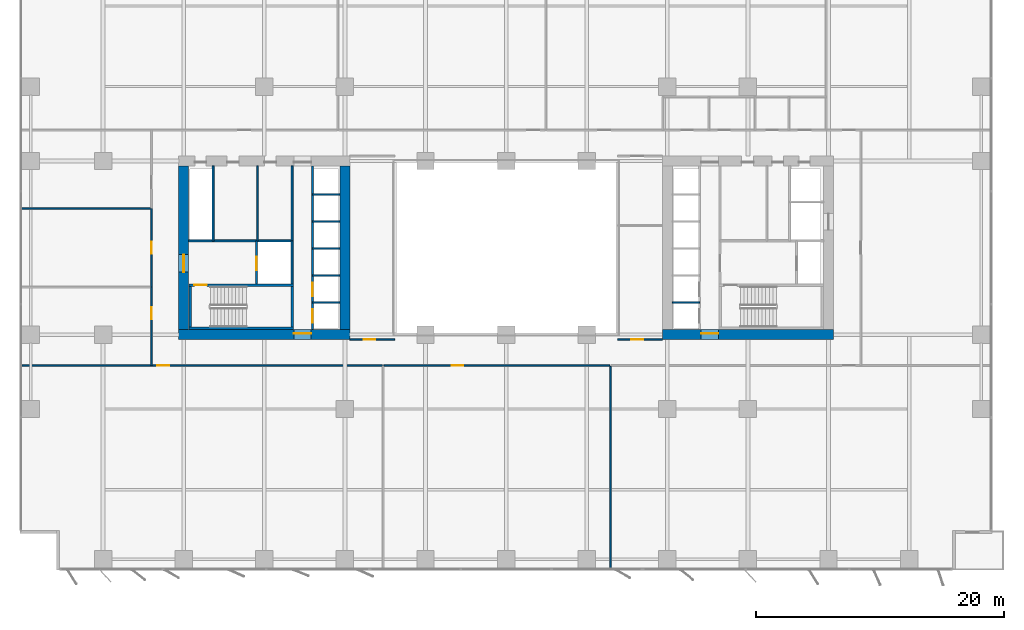
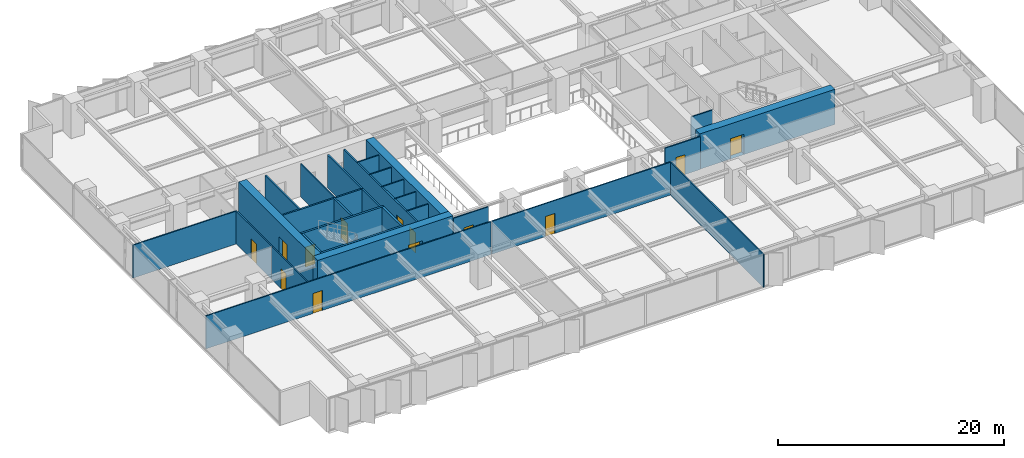
# One storey, part 13 of 20: 29 walls, 13 doors, 13 openings.
"""IFC4 building model written with IfcOpenShell, lengths in metres."""

import ifcopenshell
import ifcopenshell.guid

model = None  # the IFC model being written
_history = None  # IfcOwnerHistory: only IFC2X3 demands one
_inside = {}  # id of a spatial element -> (the spatial element, [elements in it])
_under = {}  # id of a project, library or spatial element -> (it, [spatial elements below it])
_declared = {}  # id of a project -> (the project, [libraries it declares])
_typed = {}  # id of a type object -> (the type object, [elements of that type])
_made_of = {}  # id of a material, layer set ... -> (it, [elements and type objects made of it])


def new_model(schema):
    """Start an empty IFC model of exactly this schema.

    Asked for "IFC4X3", IfcOpenShell would pick the latest addendum, in which some entities
    have other attributes; the version numbers below select the first issue.
    IFC2X3 requires an IfcOwnerHistory on every rooted entity: one is made here for all.
    """
    global model, _history
    if schema == "IFC4X3":
        model = ifcopenshell.file(schema_version=(4, 3, 0, 0))
    else:
        model = ifcopenshell.file(schema=schema)
    _inside.clear()
    _under.clear()
    _declared.clear()
    _typed.clear()
    _made_of.clear()
    _history = None
    if model.schema == "IFC2X3":
        org = make("IfcOrganization", Name="unknown")
        user = make(
            "IfcPersonAndOrganization",
            ThePerson=make("IfcPerson", FamilyName="unknown"),
            TheOrganization=org,
        )
        app = make(
            "IfcApplication",
            ApplicationDeveloper=org,
            Version="unknown",
            ApplicationFullName="unknown",
            ApplicationIdentifier="unknown",
        )
        _history = make(
            "IfcOwnerHistory",
            OwningUser=user,
            OwningApplication=app,
            ChangeAction="ADDED",
            CreationDate=0,
        )
    return model


def make(cls, **values):
    """One entity of the class cls with the attributes given. An attribute that is None is left unset."""
    return model.create_entity(
        cls, **{name: value for name, value in values.items() if value is not None}
    )


def rooted(cls, **values):
    """An entity with a GlobalId (a new one), such as an element, a storey or a relation."""
    return make(cls, GlobalId=ifcopenshell.guid.new(), OwnerHistory=_history, **values)


def si_unit(unit_type, name, prefix=None):
    """IfcSIUnit, for example si_unit("LENGTHUNIT", "METRE", prefix="MILLI")."""
    return make("IfcSIUnit", UnitType=unit_type, Prefix=prefix, Name=name)


def assignment(units):
    """IfcUnitAssignment: the units of a project."""
    return None if units is None else make("IfcUnitAssignment", Units=units)


def point(xyz):
    """IfcCartesianPoint."""
    return None if xyz is None else make("IfcCartesianPoint", Coordinates=xyz)


def direction(xyz):
    """IfcDirection."""
    return None if xyz is None else make("IfcDirection", DirectionRatios=xyz)


def frame(location, z_axis=None, x_axis=None):
    """IfcAxis2Placement3D, a coordinate frame: its origin and axes. An axis left out is left unset."""
    return make(
        "IfcAxis2Placement3D",
        Location=point(location),
        Axis=direction(z_axis),
        RefDirection=direction(x_axis),
    )


def frame_2d(location, x_axis=None):
    """IfcAxis2Placement2D, a coordinate frame in the plane: its origin and x axis."""
    return make(
        "IfcAxis2Placement2D", Location=point(location), RefDirection=direction(x_axis)
    )


def origin():
    """The frame at (0, 0, 0) with its axes left unset."""
    return frame((0.0, 0.0, 0.0))


def place(relative_to, where):
    """IfcLocalPlacement: puts the frame where relative to a parent placement (None: the world)."""
    return make(
        "IfcLocalPlacement", PlacementRelTo=relative_to, RelativePlacement=where
    )


def context(
    kind, dimensions, precision=None, world=None, true_north=None, identifier=None
):
    """IfcGeometricRepresentationContext, for example the 3D "Model" context."""
    return make(
        "IfcGeometricRepresentationContext",
        ContextIdentifier=identifier,
        ContextType=kind,
        CoordinateSpaceDimension=dimensions,
        Precision=precision,
        WorldCoordinateSystem=world,
        TrueNorth=true_north,
    )


def subcontext(parent, identifier, kind, view, scale=None):
    """IfcGeometricRepresentationSubContext, for example "Body" below "Model"."""
    return make(
        "IfcGeometricRepresentationSubContext",
        ContextIdentifier=identifier,
        ContextType=kind,
        ParentContext=parent,
        TargetScale=scale,
        TargetView=view,
    )


def project(units=None, contexts=None):
    """IfcProject with its units and contexts."""
    return rooted(
        "IfcProject",
        Name="project",
        RepresentationContexts=contexts,
        UnitsInContext=assignment(units),
    )


def spatial(cls, under=None, at=None, **own):
    """A site, building, storey or space (cls), placed at a placement, below another one or the project."""
    s = rooted(cls, ObjectPlacement=at, **own)
    if under is not None:
        _under.setdefault(under.id(), (under, []))[1].append(s)
    return s


def profile(cls, at=None, kind="AREA", **sizes):
    """A parametric profile (cls). Its sizes go by their IFC names, for example OverallWidth=200.0."""
    return make(cls, ProfileType=kind, Position=at, **sizes)


def rectangle(**sizes):
    """IfcRectangleProfileDef."""
    return profile("IfcRectangleProfileDef", **sizes)


def extrude(swept, where, along, depth):
    """IfcExtrudedAreaSolid: the profile swept, set in the frame where, extruded along a direction by depth."""
    return make(
        "IfcExtrudedAreaSolid",
        SweptArea=swept,
        Position=where,
        ExtrudedDirection=direction(along),
        Depth=depth,
    )


def shape(context_of_items, identifier, shape_type, items):
    """IfcShapeRepresentation: the items that make up one representation, for example the "Body"."""
    return make(
        "IfcShapeRepresentation",
        ContextOfItems=context_of_items,
        RepresentationIdentifier=identifier,
        RepresentationType=shape_type,
        Items=items,
    )


def material(Name=None, Category=None):
    """IfcMaterial."""
    return make("IfcMaterial", Name=Name, Category=Category)


def layer(
    of_material, thickness, ventilated=None, Name=None, Category=None, Priority=None
):
    """IfcMaterialLayer: one layer of a wall or slab, of a material (None: an air gap)."""
    return make(
        "IfcMaterialLayer",
        Material=of_material,
        LayerThickness=thickness,
        IsVentilated=ventilated,
        Name=Name,
        Category=Category,
        Priority=Priority,
    )


def layer_set(layers, Name=None):
    """IfcMaterialLayerSet."""
    return make("IfcMaterialLayerSet", MaterialLayers=layers, LayerSetName=Name)


def made_of(thing, what):
    """Note that an element or type object is made of a material, layer set ...; save() writes the relation."""
    if what is not None:
        _made_of.setdefault(what.id(), (what, []))[1].append(thing)
    return thing


def type_object(cls, material=None, **own):
    """A type object (cls), such as IfcWallType, which elements share."""
    return made_of(rooted(cls, **own), material)


def element(
    cls,
    number,
    at=None,
    inside=None,
    cuts=None,
    type_object=None,
    material=None,
    context=None,
    identifier="Body",
    shape_type=None,
    held_by="IfcProductDefinitionShape",
    body=None,
    shapes=None,
    **own,
):
    """One element of the class cls, such as IfcWall. Its Tag is "e" and its number.

    at: its placement. inside: the storey or other place that contains it. cuts: it is an
    opening in that element (IfcRelVoidsElement). A single representation is given by context,
    identifier, shape_type and body (its items); several are given by shapes. held_by: the class
    of the entity that holds the representations. save() writes the other relations.
    """
    e = rooted(cls, Tag="e%d" % number, ObjectPlacement=at, **own)
    if body is not None:
        shapes = [shape(context, identifier, shape_type, body)]
    if shapes is not None:
        e.Representation = make(held_by, Representations=shapes)
    if inside is not None:
        _inside.setdefault(inside.id(), (inside, []))[1].append(e)
    if cuts is not None:
        rooted(
            "IfcRelVoidsElement", RelatingBuildingElement=cuts, RelatedOpeningElement=e
        )
    if type_object is not None:
        _typed.setdefault(type_object.id(), (type_object, []))[1].append(e)
    return made_of(e, material)


def fill(opening, filler):
    """IfcRelFillsElement: the door or window that sits in an opening."""
    return rooted(
        "IfcRelFillsElement",
        RelatingOpeningElement=opening,
        RelatedBuildingElement=filler,
    )


def aggregate(whole, parts):
    """IfcRelAggregates: a whole, such as a stair, and the parts it consists of."""
    return rooted("IfcRelAggregates", RelatingObject=whole, RelatedObjects=parts)


def save(model, path):
    """Write the relations noted so far, then the file.

    IfcRelAggregates (storeys below a building ...), IfcRelContainedInSpatialStructure (elements
    in a storey), IfcRelDefinesByType, IfcRelAssociatesMaterial and IfcRelDeclares: one each for
    every whole, place, type object, material and project.
    """
    for whole, parts in _under.values():
        aggregate(whole, parts)
    for where, things in _inside.values():
        rooted(
            "IfcRelContainedInSpatialStructure",
            RelatedElements=things,
            RelatingStructure=where,
        )
    for kind, things in _typed.values():
        rooted("IfcRelDefinesByType", RelatedObjects=things, RelatingType=kind)
    for what, things in _made_of.values():
        rooted("IfcRelAssociatesMaterial", RelatedObjects=things, RelatingMaterial=what)
    for by, libraries in _declared.values():
        rooted("IfcRelDeclares", RelatingContext=by, RelatedDefinitions=libraries)
    model.write(path)


model = new_model("IFC4")

# Units and contexts
model_context = context("Model", 3, precision=1e-05, world=origin(), true_north=direction((0.0, 1.0)))
body_context = subcontext(model_context, "Body", "Model", "MODEL_VIEW")
ifc_project = project(units=[si_unit("LENGTHUNIT", "METRE"), si_unit("AREAUNIT", "SQUARE_METRE"), si_unit("VOLUMEUNIT", "CUBIC_METRE"), si_unit("PLANEANGLEUNIT", "RADIAN"), si_unit("MASSUNIT", "GRAM", prefix="KILO")], contexts=[model_context])

# Site, building, storey
site_placement = place(None, origin())
site = spatial("IfcSite", under=ifc_project, at=site_placement, CompositionType="ELEMENT")
building_placement = place(site_placement, origin())
building = spatial("IfcBuilding", under=site, at=building_placement, Name="Putna Gate Headquarters", CompositionType="ELEMENT")
storey_placement = place(building_placement, frame((0.0, 0.0, 50.60009765625)))
storey = spatial("IfcBuildingStorey", under=building, at=storey_placement, Name="L11", CompositionType="ELEMENT", Elevation=50.60009765625)

# Wall, opening, door
ifc_material_1 = material(Name="Concrete C60/75", Category="concrete")
ifc_layer_1 = layer(ifc_material_1, 0.800048828125)
ifc_layer_set_1 = layer_set([ifc_layer_1], Name="Concrete C60/75")
wall_type_1 = type_object("IfcWallType", Name="WALL-CORE-800", PredefinedType="SHEAR", material=ifc_layer_set_1)
wall_1_placement = place(storey_placement, frame((12.60009765625, 19.0, 0.0), z_axis=(0.0, 0.0, 1.0), x_axis=(1.0, 0.0, 0.0)))
wall_1 = element("IfcWall", 1, at=wall_1_placement, inside=storey, type_object=wall_type_1, Name="L11 WC Split Core Shear Wall S", PredefinedType="SHEAR", context=body_context, shape_type="SweptSolid", body=[
    extrude(rectangle(XDim=13.7998046875, YDim=0.800048828125, at=frame_2d((6.89990234375, 0.0))), origin(), (0.0, 0.0, 1.0), 3.7998046875),
])
opening_1_placement = place(wall_1_placement, frame((9.280029296875, 0.0, 0.0)))
opening_1 = element("IfcOpeningElement", 2, at=opening_1_placement, cuts=wall_1, Name="Opening FDD-140", PredefinedType="OPENING", context=body_context, shape_type="SweptSolid", body=[
    extrude(rectangle(XDim=1.39990234375, YDim=2.199951171875, at=frame_2d((0.699951171875, 1.10009765625))), frame((0.0, 0.409912109375, 0.0), z_axis=(0.0, -1.0, 0.0), x_axis=(1.0, 0.0, 0.0)), (0.0, 0.0, 1.0), 0.820068359375),
])
ifc_material_2 = material(Name="Double steel fire door", Category="steel")
door_type_1 = type_object("IfcDoorType", Name="DOOR-FIRE-DBL-1400", OperationType="DOUBLE_DOOR_SINGLE_SWING", PredefinedType="DOOR", material=ifc_material_2)
door_1_placement = place(opening_1_placement, origin())
door_1 = element("IfcDoor", 3, at=door_1_placement, inside=storey, type_object=door_type_1, Name="L11 West Lift Lobby South Door", OperationType="DOUBLE_DOOR_SINGLE_SWING", OverallHeight=2.199951171875, OverallWidth=1.39990234375, PredefinedType="DOOR", context=body_context, shape_type="SweptSolid", body=[
    extrude(rectangle(XDim=1.39990234375, YDim=2.199951171875, at=frame_2d((0.699951171875, 1.10009765625))), frame((0.0, 0.125, 0.0), z_axis=(0.0, -1.0, 0.0), x_axis=(1.0, 0.0, 0.0)), (0.0, 0.0, 1.0), 0.050048828125),
])
fill(opening_1, door_1)

wall_2_placement = place(storey_placement, frame((13.0, 19.39990234375, 0.0), z_axis=(0.0, 0.0, 1.0), x_axis=(0.0, 1.0, 0.0)))
wall_2 = element("IfcWall", 4, at=wall_2_placement, inside=storey, type_object=wall_type_1, Name="L11 WC Split Core Shear Wall W", PredefinedType="SHEAR", context=body_context, shape_type="SweptSolid", body=[
    extrude(rectangle(XDim=13.2001953125, YDim=0.800048828125, at=frame_2d((6.60009765625, 0.0))), origin(), (0.0, 0.0, 1.0), 3.7998046875),
])
opening_2_placement = place(wall_2_placement, frame((4.64990234375, 0.0, 0.0)))
opening_2 = element("IfcOpeningElement", 5, at=opening_2_placement, cuts=wall_2, Name="Opening FDD-140", PredefinedType="OPENING", context=body_context, shape_type="SweptSolid", body=[
    extrude(rectangle(XDim=1.39990234375, YDim=2.199951171875, at=frame_2d((0.699951171875, 1.10009765625))), frame((0.0, 0.409912109375, 0.0), z_axis=(0.0, -1.0, 0.0), x_axis=(1.0, 0.0, 0.0)), (0.0, 0.0, 1.0), 0.820068359375),
])
door_2_placement = place(opening_2_placement, origin())
door_2 = element("IfcDoor", 6, at=door_2_placement, inside=storey, type_object=door_type_1, Name="L11 West Firefighting Lobby Door", OperationType="DOUBLE_DOOR_SINGLE_SWING", OverallHeight=2.199951171875, OverallWidth=1.39990234375, PredefinedType="DOOR", context=body_context, shape_type="SweptSolid", body=[
    extrude(rectangle(XDim=1.39990234375, YDim=2.199951171875, at=frame_2d((0.699951171875, 1.10009765625))), frame((0.0, 0.02490234375, 0.0), z_axis=(0.0, -1.0, 0.0), x_axis=(1.0, 0.0, 0.0)), (0.0, 0.0, 1.0), 0.050048828125),
])
fill(opening_2, door_2)

# Wall
wall_3_placement = place(storey_placement, frame((26.0, 19.39990234375, 0.0), z_axis=(0.0, 0.0, 1.0), x_axis=(0.0, 1.0, 0.0)))
element("IfcWall", 7, at=wall_3_placement, inside=storey, type_object=wall_type_1, Name="L11 WC Split Core Shear Wall E", PredefinedType="SHEAR", context=body_context, shape_type="SweptSolid", body=[
    extrude(rectangle(XDim=13.2001953125, YDim=0.800048828125, at=frame_2d((6.60009765625, 0.0))), origin(), (0.0, 0.0, 1.0), 3.7998046875),
])

# Wall, opening, door
wall_4_placement = place(storey_placement, frame((51.60009765625, 19.0, 0.0), z_axis=(0.0, 0.0, 1.0), x_axis=(1.0, 0.0, 0.0)))
wall_4 = element("IfcWall", 8, at=wall_4_placement, inside=storey, type_object=wall_type_1, Name="L11 EC Split Core Shear Wall S", PredefinedType="SHEAR", context=body_context, shape_type="SweptSolid", body=[
    extrude(rectangle(XDim=13.7998046875, YDim=0.800048828125, at=frame_2d((6.89990234375, 0.0))), origin(), (0.0, 0.0, 1.0), 3.7998046875),
])
opening_3_placement = place(wall_4_placement, frame((3.1201171875, 0.0, 0.0)))
opening_3 = element("IfcOpeningElement", 9, at=opening_3_placement, cuts=wall_4, Name="Opening FDD-140", PredefinedType="OPENING", context=body_context, shape_type="SweptSolid", body=[
    extrude(rectangle(XDim=1.39990234375, YDim=2.199951171875, at=frame_2d((0.699951171875, 1.10009765625))), frame((0.0, 0.409912109375, 0.0), z_axis=(0.0, -1.0, 0.0), x_axis=(1.0, 0.0, 0.0)), (0.0, 0.0, 1.0), 0.820068359375),
])
door_3_placement = place(opening_3_placement, origin())
door_3 = element("IfcDoor", 10, at=door_3_placement, inside=storey, type_object=door_type_1, Name="L11 East Lift Lobby South Door", OperationType="DOUBLE_DOOR_SINGLE_SWING", OverallHeight=2.199951171875, OverallWidth=1.39990234375, PredefinedType="DOOR", context=body_context, shape_type="SweptSolid", body=[
    extrude(rectangle(XDim=1.39990234375, YDim=2.199951171875, at=frame_2d((0.699951171875, 1.10009765625))), frame((0.0, 0.125, 0.0), z_axis=(0.0, -1.0, 0.0), x_axis=(1.0, 0.0, 0.0)), (0.0, 0.0, 1.0), 0.050048828125),
])
fill(opening_3, door_3)

ifc_material_3 = material(Name="Acoustic gypsum board on metal stud")
ifc_layer_2 = layer(ifc_material_3, 0.1201171875)
ifc_layer_set_2 = layer_set([ifc_layer_2], Name="Acoustic gypsum board on metal stud")
wall_type_2 = type_object("IfcWallType", Name="WALL-PART-120", PredefinedType="PARTITIONING", material=ifc_layer_set_2)
wall_5_placement = place(storey_placement, frame((26.39990234375, 18.60009765625, 0.0), z_axis=(0.0, 0.0, 1.0), x_axis=(1.0, 0.0, 0.0)))
wall_5 = element("IfcWall", 11, at=wall_5_placement, inside=storey, type_object=wall_type_2, Name="L11 Interior Wall PART-L11-ATR-W-S", PredefinedType="PARTITIONING", context=body_context, shape_type="SweptSolid", body=[
    extrude(rectangle(XDim=3.60009765625, YDim=0.1201171875, at=frame_2d((1.800048828125, 0.0))), origin(), (0.0, 0.0, 1.0), 3.5498046875),
])
opening_4_placement = place(wall_5_placement, frame((1.10009765625, 0.0, 0.0)))
opening_4 = element("IfcOpeningElement", 12, at=opening_4_placement, cuts=wall_5, Name="Opening ID-95", PredefinedType="OPENING", context=body_context, shape_type="SweptSolid", body=[
    extrude(rectangle(XDim=0.949951171875, YDim=2.14990234375, at=frame_2d((0.47509765625, 1.074951171875))), frame((0.0, 0.070068359375, 0.0), z_axis=(0.0, -1.0, 0.0), x_axis=(1.0, 0.0, 0.0)), (0.0, 0.0, 1.0), 0.14013671875),
])
ifc_material_4 = material(Name="Veneered acoustic timber door", Category="wood")
door_type_2 = type_object("IfcDoorType", Name="DOOR-OFF-950", OperationType="NOTDEFINED", PredefinedType="DOOR", material=ifc_material_4)
door_4_placement = place(opening_4_placement, origin())
door_4 = element("IfcDoor", 13, at=door_4_placement, inside=storey, type_object=door_type_2, Name="L11 West Atrium Gallery Lounge Door", OperationType="SINGLE_SWING_LEFT", OverallHeight=2.14990234375, OverallWidth=0.949951171875, PredefinedType="DOOR", context=body_context, shape_type="SweptSolid", body=[
    extrude(rectangle(XDim=0.949951171875, YDim=2.14990234375, at=frame_2d((0.47509765625, 1.074951171875))), frame((0.0, 0.02490234375, 0.0), z_axis=(0.0, -1.0, 0.0), x_axis=(1.0, 0.0, 0.0)), (0.0, 0.0, 1.0), 0.050048828125),
])
fill(opening_4, door_4)

wall_6_placement = place(storey_placement, frame((48.0, 18.60009765625, 0.0), z_axis=(0.0, 0.0, 1.0), x_axis=(1.0, 0.0, 0.0)))
wall_6 = element("IfcWall", 14, at=wall_6_placement, inside=storey, type_object=wall_type_2, Name="L11 Interior Wall PART-L11-ATR-E-S", PredefinedType="PARTITIONING", context=body_context, shape_type="SweptSolid", body=[
    extrude(rectangle(XDim=3.60009765625, YDim=0.1201171875, at=frame_2d((1.800048828125, 0.0))), origin(), (0.0, 0.0, 1.0), 3.5498046875),
])
opening_5_placement = place(wall_6_placement, frame((1.10009765625, 0.0, 0.0)))
opening_5 = element("IfcOpeningElement", 15, at=opening_5_placement, cuts=wall_6, Name="Opening ID-95", PredefinedType="OPENING", context=body_context, shape_type="SweptSolid", body=[
    extrude(rectangle(XDim=0.949951171875, YDim=2.14990234375, at=frame_2d((0.47509765625, 1.074951171875))), frame((0.0, 0.070068359375, 0.0), z_axis=(0.0, -1.0, 0.0), x_axis=(1.0, 0.0, 0.0)), (0.0, 0.0, 1.0), 0.14013671875),
])
door_5_placement = place(opening_5_placement, origin())
door_5 = element("IfcDoor", 16, at=door_5_placement, inside=storey, type_object=door_type_2, Name="L11 East Atrium South Gallery Door", OperationType="SINGLE_SWING_RIGHT", OverallHeight=2.14990234375, OverallWidth=0.949951171875, PredefinedType="DOOR", context=body_context, shape_type="SweptSolid", body=[
    extrude(rectangle(XDim=0.949951171875, YDim=2.14990234375, at=frame_2d((0.47509765625, 1.074951171875))), frame((0.0, 0.02490234375, 0.0), z_axis=(0.0, -1.0, 0.0), x_axis=(1.0, 0.0, 0.0)), (0.0, 0.0, 1.0), 0.050048828125),
])
fill(opening_5, door_5)

# Walls
wall_7_placement = place(storey_placement, frame((47.40478515625, 0.02001953125, 0.0), z_axis=(0.0, 0.0, 1.0), x_axis=(0.0, 1.0, 0.0)))
element("IfcWall", 17, at=wall_7_placement, inside=storey, type_object=wall_type_2, Name="L11 Interior Wall PART-L11-SB-DIV-02", PredefinedType="PARTITIONING", context=body_context, shape_type="SweptSolid", body=[
    extrude(rectangle(XDim=16.419921875, YDim=0.1201171875, at=frame_2d((8.2099609375, 0.0))), origin(), (0.0, 0.0, 1.0), 3.5498046875),
])
wall_8_placement = place(storey_placement, frame((-0.179931640625, 29.166748046875, 0.0), z_axis=(0.0, 0.0, 1.0), x_axis=(1.0, 0.0, 0.0)))
element("IfcWall", 18, at=wall_8_placement, inside=storey, type_object=wall_type_2, Name="L11 Interior Wall PART-L11-WW-DIV-2", PredefinedType="PARTITIONING", context=body_context, shape_type="SweptSolid", body=[
    extrude(rectangle(XDim=10.579833984375, YDim=0.1201171875, at=frame_2d((5.2900390625, 0.0))), origin(), (0.0, 0.0, 1.0), 3.5498046875),
])
ifc_material_5 = material(Name="Fire-rated shaftwall gypsum board on metal stud")
ifc_layer_3 = layer(ifc_material_5, 0.1201171875)
ifc_layer_set_3 = layer_set([ifc_layer_3], Name="Fire-rated shaftwall gypsum board on metal stud")
wall_type_3 = type_object("IfcWallType", Name="WALL-PART-120-EI120", PredefinedType="PARTITIONING", material=ifc_layer_set_3)
for number, where, z_axis, x_axis, name in (
    (19, (23.39990234375, 21.610107421875, 0.0), (0.0, 0.0, 1.0), (1.0, 0.0, 0.0), "L11 Interior Wall CWINT-L11-WC-LF01-DIV"),
    (20, (23.39990234375, 23.780029296875, 0.0), (0.0, 0.0, 1.0), (1.0, 0.0, 0.0), "L11 Interior Wall CWINT-L11-WC-LF02-DIV"),
    (21, (23.39990234375, 25.949951171875, 0.0), (0.0, 0.0, 1.0), (1.0, 0.0, 0.0), "L11 Interior Wall CWINT-L11-WC-LF05-DIV"),
    (22, (23.39990234375, 28.1201171875, 0.0), (0.0, 0.0, 1.0), (1.0, 0.0, 0.0), "L11 Interior Wall CWINT-L11-WC-LF06-DIV"),
    (23, (23.39990234375, 30.31005859375, 0.0), (0.0, 0.0, 1.0), (1.0, 0.0, 0.0), "L11 Interior Wall CWINT-L11-WC-LF09-DIV"),
    (24, (52.39990234375, 21.610107421875, 0.0), (0.0, 0.0, 1.0), (1.0, 0.0, 0.0), "L11 Interior Wall CWINT-L11-EC-LF03-DIV"),
):
    element("IfcWall", number, at=place(storey_placement, frame(where, z_axis=z_axis, x_axis=x_axis)), inside=storey, type_object=wall_type_3, Name=name, PredefinedType="PARTITIONING", context=body_context, shape_type="SweptSolid", body=[
        extrude(rectangle(XDim=2.2001953125, YDim=0.1201171875, at=frame_2d((1.10009765625, 0.0))), origin(), (0.0, 0.0, 1.0), 3.5498046875),
    ])
ifc_material_6 = material(Name="Fire-rated gypsum board on metal stud")
ifc_layer_4 = layer(ifc_material_6, 0.1201171875)
ifc_layer_set_4 = layer_set([ifc_layer_4], Name="Fire-rated gypsum board on metal stud")
wall_type_4 = type_object("IfcWallType", Name="WALL-PART-120-RATED", PredefinedType="PARTITIONING", material=ifc_layer_set_4)
wall_9_placement = place(storey_placement, frame((18.969970703125, 26.56005859375, 0.0), z_axis=(0.0, 0.0, 1.0), x_axis=(0.0, 1.0, 0.0)))
element("IfcWall", 25, at=wall_9_placement, inside=storey, type_object=wall_type_4, Name="L11 Interior Wall CWINT-L11-WC-K0-DIV", PredefinedType="PARTITIONING", context=body_context, shape_type="SweptSolid", body=[
    extrude(rectangle(XDim=6.0400390625, YDim=0.1201171875, at=frame_2d((3.02001953125, 0.0))), origin(), (0.0, 0.0, 1.0), 3.5498046875),
])

# Wall, opening, door
wall_10_placement = place(storey_placement, frame((-0.02001953125, 16.5, 0.0), z_axis=(0.0, 0.0, 1.0), x_axis=(1.0, 0.0, 0.0)))
wall_10 = element("IfcWall", 26, at=wall_10_placement, inside=storey, type_object=wall_type_4, Name="L11 Interior Wall PART-L11-SB-CW-01", PredefinedType="PARTITIONING", context=body_context, shape_type="SweptSolid", body=[
    extrude(rectangle(XDim=29.041015625, YDim=0.1201171875, at=frame_2d((14.5205078125, 0.0))), origin(), (0.0, 0.0, 1.0), 3.5498046875),
])
opening_6_placement = place(wall_10_placement, frame((10.89990234375, 0.0, 0.0)))
opening_6 = element("IfcOpeningElement", 27, at=opening_6_placement, cuts=wall_10, Name="Opening FD-95", PredefinedType="OPENING", context=body_context, shape_type="SweptSolid", body=[
    extrude(rectangle(XDim=0.949951171875, YDim=2.14990234375, at=frame_2d((0.47509765625, 1.074951171875))), frame((0.0, 0.070068359375, 0.0), z_axis=(0.0, -1.0, 0.0), x_axis=(1.0, 0.0, 0.0)), (0.0, 0.0, 1.0), 0.14013671875),
])
ifc_material_7 = material(Name="Acoustic timber fire door", Category="wood")
door_type_3 = type_object("IfcDoorType", Name="DOOR-FIRE-950", OperationType="NOTDEFINED", PredefinedType="DOOR", material=ifc_material_7)
door_6_placement = place(opening_6_placement, origin())
door_6 = element("IfcDoor", 28, at=door_6_placement, inside=storey, type_object=door_type_3, Name="L11 Conference Meeting Room 1 Door", OperationType="SINGLE_SWING_RIGHT", OverallHeight=2.14990234375, OverallWidth=0.949951171875, PredefinedType="DOOR", context=body_context, shape_type="SweptSolid", body=[
    extrude(rectangle(XDim=0.949951171875, YDim=2.14990234375, at=frame_2d((0.47509765625, 1.074951171875))), frame((0.0, 0.02490234375, 0.0), z_axis=(0.0, -1.0, 0.0), x_axis=(1.0, 0.0, 0.0)), (0.0, 0.0, 1.0), 0.050048828125),
])
fill(opening_6, door_6)

wall_11_placement = place(storey_placement, frame((29.14111328125, 16.5, 0.0), z_axis=(0.0, 0.0, 1.0), x_axis=(1.0, 0.0, 0.0)))
wall_11 = element("IfcWall", 29, at=wall_11_placement, inside=storey, type_object=wall_type_4, Name="L11 Interior Wall PART-L11-SB-CW-02", PredefinedType="PARTITIONING", context=body_context, shape_type="SweptSolid", body=[
    extrude(rectangle(XDim=18.203857421875, YDim=0.1201171875, at=frame_2d((9.10205078125, 0.0))), origin(), (0.0, 0.0, 1.0), 3.5498046875),
])
opening_7_placement = place(wall_11_placement, frame((5.461181640625, 0.0, 0.0)))
opening_7 = element("IfcOpeningElement", 30, at=opening_7_placement, cuts=wall_11, Name="Opening FD-95", PredefinedType="OPENING", context=body_context, shape_type="SweptSolid", body=[
    extrude(rectangle(XDim=0.949951171875, YDim=2.14990234375, at=frame_2d((0.47509765625, 1.074951171875))), frame((0.0, 0.070068359375, 0.0), z_axis=(0.0, -1.0, 0.0), x_axis=(1.0, 0.0, 0.0)), (0.0, 0.0, 1.0), 0.14013671875),
])
door_7_placement = place(opening_7_placement, origin())
door_7 = element("IfcDoor", 31, at=door_7_placement, inside=storey, type_object=door_type_3, Name="L11 Quiet Wellness Focus Studio 1 Door", OperationType="SINGLE_SWING_LEFT", OverallHeight=2.14990234375, OverallWidth=0.949951171875, PredefinedType="DOOR", context=body_context, shape_type="SweptSolid", body=[
    extrude(rectangle(XDim=0.949951171875, YDim=2.14990234375, at=frame_2d((0.47509765625, 1.074951171875))), frame((0.0, 0.02490234375, 0.0), z_axis=(0.0, -1.0, 0.0), x_axis=(1.0, 0.0, 0.0)), (0.0, 0.0, 1.0), 0.050048828125),
])
fill(opening_7, door_7)

wall_12_placement = place(storey_placement, frame((10.39990234375, 16.5, 0.0), z_axis=(0.0, 0.0, 1.0), x_axis=(0.0, 1.0, 0.0)))
wall_12 = element("IfcWall", 32, at=wall_12_placement, inside=storey, type_object=wall_type_4, Name="L11 Interior Wall PART-L11-WW-CW-1", PredefinedType="PARTITIONING", context=body_context, shape_type="SweptSolid", body=[
    extrude(rectangle(XDim=6.333251953125, YDim=0.1201171875, at=frame_2d((3.16650390625, 0.0))), origin(), (0.0, 0.0, 1.0), 3.5498046875),
])
opening_8_placement = place(wall_12_placement, frame((3.74169921875, 0.0, 0.0)))
opening_8 = element("IfcOpeningElement", 33, at=opening_8_placement, cuts=wall_12, Name="Opening FD-95", PredefinedType="OPENING", context=body_context, shape_type="SweptSolid", body=[
    extrude(rectangle(XDim=0.949951171875, YDim=2.14990234375, at=frame_2d((0.47509765625, 1.074951171875))), frame((0.0, 0.070068359375, 0.0), z_axis=(0.0, -1.0, 0.0), x_axis=(1.0, 0.0, 0.0)), (0.0, 0.0, 1.0), 0.14013671875),
])
door_8_placement = place(opening_8_placement, origin())
door_8 = element("IfcDoor", 34, at=door_8_placement, inside=storey, type_object=door_type_3, Name="L11 West Project Meeting Room 1 Door", OperationType="SINGLE_SWING_LEFT", OverallHeight=2.14990234375, OverallWidth=0.949951171875, PredefinedType="DOOR", context=body_context, shape_type="SweptSolid", body=[
    extrude(rectangle(XDim=0.949951171875, YDim=2.14990234375, at=frame_2d((0.47509765625, 1.074951171875))), frame((0.0, 0.02490234375, 0.0), z_axis=(0.0, -1.0, 0.0), x_axis=(1.0, 0.0, 0.0)), (0.0, 0.0, 1.0), 0.050048828125),
])
fill(opening_8, door_8)

wall_13_placement = place(storey_placement, frame((10.39990234375, 22.833251953125, 0.0), z_axis=(0.0, 0.0, 1.0), x_axis=(0.0, 1.0, 0.0)))
wall_13 = element("IfcWall", 35, at=wall_13_placement, inside=storey, type_object=wall_type_4, Name="L11 Interior Wall PART-L11-WW-CW-2", PredefinedType="PARTITIONING", context=body_context, shape_type="SweptSolid", body=[
    extrude(rectangle(XDim=6.33349609375, YDim=0.1201171875, at=frame_2d((3.166748046875, 0.0))), origin(), (0.0, 0.0, 1.0), 3.5498046875),
])
opening_9_placement = place(wall_13_placement, frame((2.691650390625, 0.0, 0.0)))
opening_9 = element("IfcOpeningElement", 36, at=opening_9_placement, cuts=wall_13, Name="Opening FD-95", PredefinedType="OPENING", context=body_context, shape_type="SweptSolid", body=[
    extrude(rectangle(XDim=0.949951171875, YDim=2.14990234375, at=frame_2d((0.47509765625, 1.074951171875))), frame((0.0, 0.070068359375, 0.0), z_axis=(0.0, -1.0, 0.0), x_axis=(1.0, 0.0, 0.0)), (0.0, 0.0, 1.0), 0.14013671875),
])
door_9_placement = place(opening_9_placement, origin())
door_9 = element("IfcDoor", 37, at=door_9_placement, inside=storey, type_object=door_type_3, Name="L11 West Project Meeting Room 2 Door", OperationType="SINGLE_SWING_RIGHT", OverallHeight=2.14990234375, OverallWidth=0.949951171875, PredefinedType="DOOR", context=body_context, shape_type="SweptSolid", body=[
    extrude(rectangle(XDim=0.949951171875, YDim=2.14990234375, at=frame_2d((0.47509765625, 1.074951171875))), frame((0.0, 0.02490234375, 0.0), z_axis=(0.0, -1.0, 0.0), x_axis=(1.0, 0.0, 0.0)), (0.0, 0.0, 1.0), 0.050048828125),
])
fill(opening_9, door_9)

# Wall
ifc_material_8 = material(Name="Concrete C40/50", Category="concrete")
ifc_layer_5 = layer(ifc_material_8, 0.159912109375)
ifc_layer_set_5 = layer_set([ifc_layer_5], Name="Concrete C40/50")
wall_type_5 = type_object("IfcWallType", Name="WALL-SHAFT-160", PredefinedType="STANDARD", material=ifc_layer_set_5)
wall_14_placement = place(storey_placement, frame((21.739990234375, 23.090087890625, 0.0), z_axis=(0.0, 0.0, 1.0), x_axis=(0.0, 1.0, 0.0)))
element("IfcWall", 38, at=wall_14_placement, inside=storey, type_object=wall_type_5, Name="L11 Interior Wall CWINT-L11-WC-FFL-E", PredefinedType="STANDARD", context=body_context, shape_type="SweptSolid", body=[
    extrude(rectangle(XDim=3.469970703125, YDim=0.159912109375, at=frame_2d((1.73486328125, 0.0))), origin(), (0.0, 0.0, 1.0), 3.5498046875),
])

# Wall, opening, door
wall_15_placement = place(storey_placement, frame((18.8798828125, 23.090087890625, 0.0), z_axis=(0.0, 0.0, 1.0), x_axis=(0.0, 1.0, 0.0)))
wall_15 = element("IfcWall", 39, at=wall_15_placement, inside=storey, type_object=wall_type_5, Name="L11 Interior Wall CWINT-L11-WC-LF13-W", PredefinedType="STANDARD", context=body_context, shape_type="SweptSolid", body=[
    extrude(rectangle(XDim=3.469970703125, YDim=0.159912109375, at=frame_2d((1.73486328125, 0.0))), origin(), (0.0, 0.0, 1.0), 3.5498046875),
])
opening_10_placement = place(wall_15_placement, frame((1.10009765625, 0.0, 0.0)))
opening_10 = element("IfcOpeningElement", 40, at=opening_10_placement, cuts=wall_15, Name="Opening LD-1", PredefinedType="OPENING", context=body_context, shape_type="SweptSolid", body=[
    extrude(rectangle(XDim=1.10009765625, YDim=2.199951171875, at=frame_2d((0.550048828125, 1.10009765625))), frame((0.0, 0.08984375, 0.0), z_axis=(0.0, -1.0, 0.0), x_axis=(1.0, 0.0, 0.0)), (0.0, 0.0, 1.0), 0.179931640625),
])
ifc_material_9 = material(Name="Brushed bronze stainless lift landing door")
door_type_4 = type_object("IfcDoorType", Name="DOOR-LIFT-1100", OperationType="DOUBLE_DOOR_SLIDING", PredefinedType="DOOR", material=ifc_material_9)
door_10_placement = place(opening_10_placement, origin())
door_10 = element("IfcDoor", 41, at=door_10_placement, inside=storey, type_object=door_type_4, Name="L11 Lift Landing Door LD-13", OperationType="DOUBLE_DOOR_SLIDING", OverallHeight=2.199951171875, OverallWidth=1.10009765625, PredefinedType="DOOR", context=body_context, shape_type="SweptSolid", body=[
    extrude(rectangle(XDim=1.10009765625, YDim=2.199951171875, at=frame_2d((0.550048828125, 1.10009765625))), frame((0.0, 0.02490234375, 0.0), z_axis=(0.0, -1.0, 0.0), x_axis=(1.0, 0.0, 0.0)), (0.0, 0.0, 1.0), 0.050048828125),
])
fill(opening_10, door_10)

# Walls
wall_16_placement = place(storey_placement, frame((13.39990234375, 26.56005859375, 0.0), z_axis=(0.0, 0.0, 1.0), x_axis=(1.0, 0.0, 0.0)))
element("IfcWall", 42, at=wall_16_placement, inside=storey, type_object=wall_type_5, Name="L11 Interior Wall CWINT-L11-WC-FFL-N", PredefinedType="STANDARD", context=body_context, shape_type="SweptSolid", body=[
    extrude(rectangle(XDim=8.340087890625, YDim=0.159912109375, at=frame_2d((4.169921875, 0.0))), origin(), (0.0, 0.0, 1.0), 3.5498046875),
])
for number, where, z_axis, x_axis, name in (
    (43, (15.3798828125, 26.56005859375, 0.0), (0.0, 0.0, 1.0), (0.0, 1.0, 0.0), "L11 Interior Wall CWINT-L11-WC-RISER-E"),
    (44, (21.739990234375, 26.56005859375, 0.0), (0.0, 0.0, 1.0), (0.0, 1.0, 0.0), "L11 Interior Wall CWINT-L11-WC-LOB-W"),
):
    element("IfcWall", number, at=place(storey_placement, frame(where, z_axis=z_axis, x_axis=x_axis)), inside=storey, type_object=wall_type_5, Name=name, PredefinedType="STANDARD", context=body_context, shape_type="SweptSolid", body=[
        extrude(rectangle(XDim=6.0400390625, YDim=0.159912109375, at=frame_2d((3.02001953125, 0.0))), origin(), (0.0, 0.0, 1.0), 3.5498046875),
    ])

# Wall, openings, doors
wall_17_placement = place(storey_placement, frame((23.39990234375, 19.39990234375, 0.0), z_axis=(0.0, 0.0, 1.0), x_axis=(0.0, 1.0, 0.0)))
wall_17 = element("IfcWall", 45, at=wall_17_placement, inside=storey, type_object=wall_type_5, Name="L11 Interior Wall CWINT-L11-WC-PL-WALL", PredefinedType="STANDARD", context=body_context, shape_type="SweptSolid", body=[
    extrude(rectangle(XDim=13.2001953125, YDim=0.159912109375, at=frame_2d((6.60009765625, 0.0))), origin(), (0.0, 0.0, 1.0), 3.5498046875),
])
opening_11_placement = place(wall_17_placement, frame((0.550048828125, 0.0, 0.0)))
opening_11 = element("IfcOpeningElement", 46, at=opening_11_placement, cuts=wall_17, Name="Opening LD-1", PredefinedType="OPENING", context=body_context, shape_type="SweptSolid", body=[
    extrude(rectangle(XDim=1.10009765625, YDim=2.199951171875, at=frame_2d((0.550048828125, 1.10009765625))), frame((0.0, 0.08984375, 0.0), z_axis=(0.0, -1.0, 0.0), x_axis=(1.0, 0.0, 0.0)), (0.0, 0.0, 1.0), 0.179931640625),
])
opening_12_placement = place(wall_17_placement, frame((2.699951171875, 0.0, 0.0)))
opening_12 = element("IfcOpeningElement", 47, at=opening_12_placement, cuts=wall_17, Name="Opening LD-1", PredefinedType="OPENING", context=body_context, shape_type="SweptSolid", body=[
    extrude(rectangle(XDim=1.10009765625, YDim=2.199951171875, at=frame_2d((0.550048828125, 1.10009765625))), frame((0.0, 0.08984375, 0.0), z_axis=(0.0, -1.0, 0.0), x_axis=(1.0, 0.0, 0.0)), (0.0, 0.0, 1.0), 0.179931640625),
])
door_11_placement = place(opening_11_placement, origin())
door_11 = element("IfcDoor", 48, at=door_11_placement, inside=storey, type_object=door_type_4, Name="L11 Lift Landing Door LD-01", OperationType="DOUBLE_DOOR_SLIDING", OverallHeight=2.199951171875, OverallWidth=1.10009765625, PredefinedType="DOOR", context=body_context, shape_type="SweptSolid", body=[
    extrude(rectangle(XDim=1.10009765625, YDim=2.199951171875, at=frame_2d((0.550048828125, 1.10009765625))), frame((0.0, 0.02490234375, 0.0), z_axis=(0.0, -1.0, 0.0), x_axis=(1.0, 0.0, 0.0)), (0.0, 0.0, 1.0), 0.050048828125),
])
fill(opening_11, door_11)
door_12_placement = place(opening_12_placement, origin())
door_12 = element("IfcDoor", 49, at=door_12_placement, inside=storey, type_object=door_type_4, Name="L11 Lift Landing Door LD-02", OperationType="DOUBLE_DOOR_SLIDING", OverallHeight=2.199951171875, OverallWidth=1.10009765625, PredefinedType="DOOR", context=body_context, shape_type="SweptSolid", body=[
    extrude(rectangle(XDim=1.10009765625, YDim=2.199951171875, at=frame_2d((0.550048828125, 1.10009765625))), frame((0.0, 0.02490234375, 0.0), z_axis=(0.0, -1.0, 0.0), x_axis=(1.0, 0.0, 0.0)), (0.0, 0.0, 1.0), 0.050048828125),
])
fill(opening_12, door_12)

# Wall
ifc_layer_6 = layer(ifc_material_8, 0.199951171875)
ifc_layer_set_6 = layer_set([ifc_layer_6], Name="Concrete C40/50")
wall_type_6 = type_object("IfcWallType", Name="WALL-SHAFT-RC200", PredefinedType="SHEAR", material=ifc_layer_set_6)
wall_18_placement = place(storey_placement, frame((13.409912109375, 19.510009765625, 0.0), z_axis=(0.0, 0.0, 1.0), x_axis=(1.0, 0.0, 0.0)))
element("IfcWall", 50, at=wall_18_placement, inside=storey, type_object=wall_type_6, Name="L11 Stair ST1 Structural Shaft Wall S", PredefinedType="SHEAR", context=body_context, shape_type="SweptSolid", body=[
    extrude(rectangle(XDim=8.43017578125, YDim=0.199951171875, at=frame_2d((4.215087890625, 0.0))), origin(), (0.0, 0.0, 1.0), 3.7998046875),
])

# Wall, opening, door
wall_19_placement = place(storey_placement, frame((13.409912109375, 22.989990234375, 0.0), z_axis=(0.0, 0.0, 1.0), x_axis=(1.0, 0.0, 0.0)))
wall_19 = element("IfcWall", 51, at=wall_19_placement, inside=storey, type_object=wall_type_6, Name="L11 Stair ST1 Structural Shaft Wall N", PredefinedType="SHEAR", context=body_context, shape_type="SweptSolid", body=[
    extrude(rectangle(XDim=8.43017578125, YDim=0.199951171875, at=frame_2d((4.215087890625, 0.0))), origin(), (0.0, 0.0, 1.0), 3.7998046875),
])
opening_13_placement = place(wall_19_placement, frame((0.449951171875, 0.0, 0.0)))
opening_13 = element("IfcOpeningElement", 52, at=opening_13_placement, cuts=wall_19, Name="Opening FD-100", PredefinedType="OPENING", context=body_context, shape_type="SweptSolid", body=[
    extrude(rectangle(XDim=1.0, YDim=2.14990234375, at=frame_2d((0.5, 1.074951171875))), frame((0.0, 0.10986328125, 0.0), z_axis=(0.0, -1.0, 0.0), x_axis=(1.0, 0.0, 0.0)), (0.0, 0.0, 1.0), 0.219970703125),
])
ifc_material_10 = material(Name="Powder-coated steel fire door", Category="steel")
door_type_5 = type_object("IfcDoorType", Name="DOOR-FIRE-1000", OperationType="NOTDEFINED", PredefinedType="DOOR", material=ifc_material_10)
door_13_placement = place(opening_13_placement, origin())
door_13 = element("IfcDoor", 53, at=door_13_placement, inside=storey, type_object=door_type_5, Name="L11 Stair ST1 Fire Door", OperationType="SINGLE_SWING_LEFT", OverallHeight=2.14990234375, OverallWidth=1.0, PredefinedType="DOOR", context=body_context, shape_type="SweptSolid", body=[
    extrude(rectangle(XDim=1.0, YDim=2.14990234375, at=frame_2d((0.5, 1.074951171875))), frame((0.0, 0.02490234375, 0.0), z_axis=(0.0, -1.0, 0.0), x_axis=(1.0, 0.0, 0.0)), (0.0, 0.0, 1.0), 0.050048828125),
])
fill(opening_13, door_13)

# Walls
for number, where, z_axis, x_axis, name in (
    (54, (13.510009765625, 19.610107421875, 0.0), (0.0, 0.0, 1.0), (0.0, 1.0, 0.0), "L11 Stair ST1 Structural Shaft Wall W"),
    (55, (21.739990234375, 19.610107421875, 0.0), (0.0, 0.0, 1.0), (0.0, 1.0, 0.0), "L11 Stair ST1 Structural Shaft Wall E"),
):
    element("IfcWall", number, at=place(storey_placement, frame(where, z_axis=z_axis, x_axis=x_axis)), inside=storey, type_object=wall_type_6, Name=name, PredefinedType="SHEAR", context=body_context, shape_type="SweptSolid", body=[
        extrude(rectangle(XDim=3.27978515625, YDim=0.199951171875, at=frame_2d((1.639892578125, 0.0))), origin(), (0.0, 0.0, 1.0), 3.7998046875),
    ])

save(model, "model.ifc")
